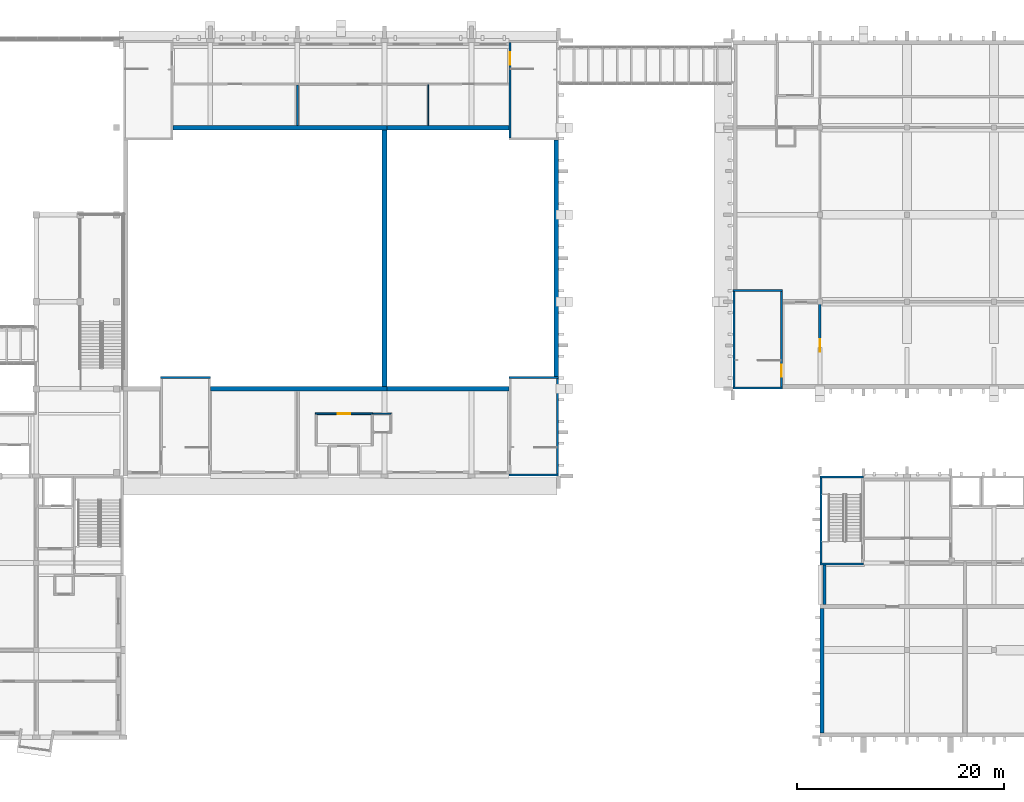
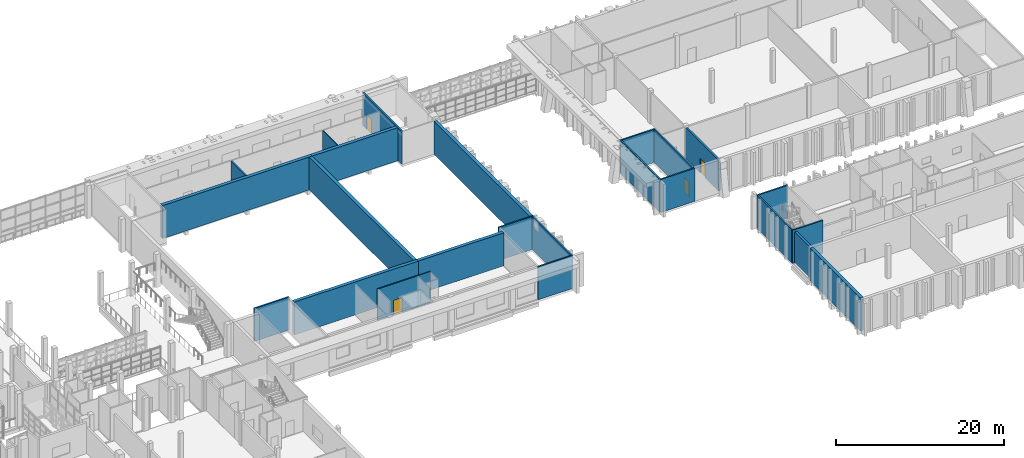
# One storey, part 48 of 86: 25 walls, 4 doors, 4 openings.
"""IFC4 building model written with IfcOpenShell, lengths in metres."""

from ifc_helpers import new_model, si_unit, direction, frame, frame_2d, origin, place, context, subcontext, project, spatial, rectangle, extrude, material, layer, layer_set, type_object, element, fill, save


model = new_model("IFC4")

# Units and contexts
model_context = context("Model", 3, precision=1e-05, world=origin(), true_north=direction((0.0, 1.0)))
body_context = subcontext(model_context, "Body", "Model", "MODEL_VIEW")
ifc_project = project(units=[si_unit("LENGTHUNIT", "METRE"), si_unit("AREAUNIT", "SQUARE_METRE"), si_unit("VOLUMEUNIT", "CUBIC_METRE"), si_unit("PLANEANGLEUNIT", "RADIAN"), si_unit("MASSUNIT", "GRAM", prefix="KILO")], contexts=[model_context])

# Site, building, storey
site_placement = place(None, origin())
site = spatial("IfcSite", under=ifc_project, at=site_placement, CompositionType="ELEMENT")
building_placement = place(site_placement, origin())
building = spatial("IfcBuilding", under=site, at=building_placement, Name="Kiln Court Media Centre", CompositionType="ELEMENT")
storey_placement = place(building_placement, frame((0.0, 0.0, 10.199951171875)))
storey = spatial("IfcBuildingStorey", under=building, at=storey_placement, Name="L02", CompositionType="ELEMENT", Elevation=10.199951171875)

# Wall, opening, door
ifc_material_1 = material(Name="Concrete block masonry M7.5", Category="masonry")
ifc_layer_1 = layer(ifc_material_1, 0.14990234375)
ifc_layer_set_1 = layer_set([ifc_layer_1], Name="Block lobby wall 150 EI 120")
wall_type_1 = type_object("IfcWallType", Name="Block lobby wall 150 EI 120", PredefinedType="SOLIDWALL", material=ifc_layer_set_1)
wall_1_placement = place(storey_placement, frame((77.324951171875, 31.199951171875, 0.0), z_axis=(0.0, 0.0, 1.0), x_axis=(1.0, 0.0, 0.0)))
wall_1 = element("IfcWall", 1, at=wall_1_placement, inside=storey, type_object=wall_type_1, Name="L02 block lobby wall", PredefinedType="SOLIDWALL", context=body_context, shape_type="SweptSolid", body=[
    extrude(rectangle(XDim=5.550048828125, YDim=0.14990234375, at=frame_2d((2.77490234375, 0.0))), origin(), (0.0, 0.0, 1.0), 4.5),
])
opening_1_placement = place(wall_1_placement, frame((2.175048828125, 0.0, 0.0)))
opening_1 = element("IfcOpeningElement", 2, at=opening_1_placement, cuts=wall_1, Name="Opening D2023", PredefinedType="OPENING", context=body_context, shape_type="SweptSolid", body=[
    extrude(rectangle(XDim=1.199951171875, YDim=2.10009765625, at=frame_2d((0.60009765625, 1.050048828125))), frame((0.0, 0.0849609375, 0.0), z_axis=(0.0, -1.0, 0.0), x_axis=(1.0, 0.0, 0.0)), (0.0, 0.0, 1.0), 0.169921875),
])
ifc_material_2 = material(Name="Steel S275", Category="steel")
door_type_1 = type_object("IfcDoorType", Name="Steel lobby door 1200 x 2100 FD120", OperationType="SINGLE_SWING_LEFT", PredefinedType="DOOR", material=ifc_material_2)
door_1_placement = place(opening_1_placement, origin())
door_1 = element("IfcDoor", 3, at=door_1_placement, inside=storey, type_object=door_type_1, Name="Upper Lounge and Bar / Fire-fighting Lift Lobby", OperationType="SINGLE_SWING_LEFT", OverallHeight=2.10009765625, OverallWidth=1.199951171875, PredefinedType="DOOR", context=body_context, shape_type="SweptSolid", body=[
    extrude(rectangle(XDim=1.199951171875, YDim=2.10009765625, at=frame_2d((0.60009765625, 1.050048828125))), frame((0.0, 0.02490234375, 0.0), z_axis=(0.0, -1.0, 0.0), x_axis=(1.0, 0.0, 0.0)), (0.0, 0.0, 1.0), 0.050048828125),
])
fill(opening_1, door_1)

# Walls
ifc_material_3 = material(Name="Concrete block masonry M10", Category="masonry")
ifc_layer_2 = layer(ifc_material_3, 0.199951171875)
ifc_layer_set_2 = layer_set([ifc_layer_2], Name="Block plant room wall 200 EI 120")
wall_type_2 = type_object("IfcWallType", Name="Block plant room wall 200 EI 120", PredefinedType="SOLIDWALL", material=ifc_layer_set_2)
wall_2_placement = place(storey_placement, frame((75.60009765625, 59.02490234375, 0.0), z_axis=(0.0, 0.0, 1.0), x_axis=(0.0, 1.0, 0.0)))
element("IfcWall", 4, at=wall_2_placement, inside=storey, type_object=wall_type_2, Name="L02 block plant room wall", PredefinedType="SOLIDWALL", context=body_context, shape_type="SweptSolid", body=[
    extrude(rectangle(XDim=3.875, YDim=0.199951171875, at=frame_2d((1.9375, 0.0))), origin(), (0.0, 0.0, 1.0), 4.5),
])
ifc_material_4 = material(Name="Concrete C40/50", Category="concrete")
ifc_layer_3 = layer(ifc_material_4, 0.449951171875)
ifc_layer_set_3 = layer_set([ifc_layer_3], Name="Concrete C40/50 auditorium wall 450")
wall_type_3 = type_object("IfcWallType", Name="Concrete C40/50 auditorium wall 450", PredefinedType="SHEAR", material=ifc_layer_set_3)
wall_3_placement = place(storey_placement, frame((84.22509765625, 33.60009765625, 0.0), z_axis=(0.0, 0.0, 1.0), x_axis=(-1.0, 0.0, 0.0)))
element("IfcWall", 5, at=wall_3_placement, inside=storey, type_object=wall_type_3, Name="L02-W-1111", PredefinedType="SHEAR", context=body_context, shape_type="SweptSolid", body=[
    extrude(rectangle(XDim=17.025146484375, YDim=0.449951171875, at=frame_2d((8.5126953125, 0.0))), origin(), (0.0, 0.0, 1.0), 4.800048828125),
])
wall_4_placement = place(storey_placement, frame((63.60009765625, 58.800048828125, 0.0), z_axis=(0.0, 0.0, 1.0), x_axis=(1.0, 0.0, 0.0)))
element("IfcWall", 6, at=wall_4_placement, inside=storey, type_object=wall_type_3, Name="L02-W-1112", PredefinedType="SHEAR", context=body_context, shape_type="SweptSolid", body=[
    extrude(rectangle(XDim=20.625, YDim=0.449951171875, at=frame_2d((10.3125, 0.0))), origin(), (0.0, 0.0, 1.0), 4.800048828125),
])
wall_5_placement = place(storey_placement, frame((84.0, 58.574951171875, 0.0), z_axis=(0.0, 0.0, 1.0), x_axis=(0.0, -1.0, 0.0)))
element("IfcWall", 7, at=wall_5_placement, inside=storey, type_object=wall_type_3, Name="L02-W-1114", PredefinedType="SHEAR", context=body_context, shape_type="SweptSolid", body=[
    extrude(rectangle(XDim=24.75, YDim=0.449951171875, at=frame_2d((12.375, 0.0))), origin(), (0.0, 0.0, 1.0), 4.800048828125),
])
for number, where, z_axis, x_axis, name in (
    (8, (96.0, 33.60009765625, 0.0), (0.0, 0.0, 1.0), (-1.0, 0.0, 0.0), "L02-W-1115"),
    (9, (84.22509765625, 58.800048828125, 0.0), (0.0, 0.0, 1.0), (1.0, 0.0, 0.0), "L02-W-1116"),
):
    element("IfcWall", number, at=place(storey_placement, frame(where, z_axis=z_axis, x_axis=x_axis)), inside=storey, type_object=wall_type_3, Name=name, PredefinedType="SHEAR", context=body_context, shape_type="SweptSolid", body=[
        extrude(rectangle(XDim=11.77490234375, YDim=0.449951171875, at=frame_2d((5.887451171875, 0.0))), origin(), (0.0, 0.0, 1.0), 4.800048828125),
    ])
wall_6_placement = place(storey_placement, frame((100.574951171875, 57.60009765625, 0.0), z_axis=(0.0, 0.0, 1.0), x_axis=(0.0, -1.0, 0.0)))
element("IfcWall", 10, at=wall_6_placement, inside=storey, type_object=wall_type_3, Name="L02-W-1117", PredefinedType="SHEAR", context=body_context, shape_type="SweptSolid", body=[
    extrude(rectangle(XDim=22.800048828125, YDim=0.449951171875, at=frame_2d((11.39990234375, 0.0))), origin(), (0.0, 0.0, 1.0), 4.800048828125),
])
ifc_material_5 = material(Name="Concrete C40/50", Category="concrete")
ifc_layer_4 = layer(ifc_material_5, 0.300048828125)
ifc_layer_set_4 = layer_set([ifc_layer_4], Name="Concrete C40/50 board-marked facade wall 300")
wall_type_4 = type_object("IfcWallType", Name="Concrete C40/50 board-marked facade wall 300", PredefinedType="SOLIDWALL", material=ifc_layer_set_4)
wall_7_placement = place(storey_placement, frame((126.449951171875, 12.800048828125, 0.0), z_axis=(0.0, 0.0, 1.0), x_axis=(0.0, 1.0, 0.0)))
element("IfcWall", 11, at=wall_7_placement, inside=storey, type_object=wall_type_4, Name="V5 W facade wall 4013", PredefinedType="SOLIDWALL", context=body_context, shape_type="SweptSolid", body=[
    extrude(rectangle(XDim=3.800048828125, YDim=0.300048828125, at=frame_2d((1.89990234375, 0.0))), origin(), (0.0, 0.0, 1.0), 4.5),
])
ifc_material_6 = material(Name="Concrete C40/50", Category="concrete")
ifc_layer_5 = layer(ifc_material_6, 0.199951171875)
ifc_layer_set_5 = layer_set([ifc_layer_5], Name="Concrete C40/50 shear wall 200")
wall_type_5 = type_object("IfcWallType", Name="Concrete C40/50 shear wall 200", PredefinedType="SHEAR", material=ifc_layer_set_5)
for number, where, z_axis, x_axis, name in (
    (12, (62.39990234375, 34.699951171875, 0.0), (0.0, 0.0, 1.0), (1.0, 0.0, 0.0), "L02-W-1033"),
    (13, (100.800048828125, 25.300048828125, 0.0), (0.0, 0.0, 1.0), (-1.0, 0.0, 0.0), "L02-W-1036"),
    (14, (96.0, 34.699951171875, 0.0), (0.0, 0.0, 1.0), (1.0, 0.0, 0.0), "L02-W-1037"),
):
    element("IfcWall", number, at=place(storey_placement, frame(where, z_axis=z_axis, x_axis=x_axis)), inside=storey, type_object=wall_type_5, Name=name, PredefinedType="SHEAR", context=body_context, shape_type="SweptSolid", body=[
        extrude(rectangle(XDim=4.800048828125, YDim=0.199951171875, at=frame_2d((2.39990234375, 0.0))), origin(), (0.0, 0.0, 1.0), 4.800048828125),
    ])
wall_8_placement = place(storey_placement, frame((100.699951171875, 34.60009765625, 0.0), z_axis=(0.0, 0.0, 1.0), x_axis=(0.0, -1.0, 0.0)))
element("IfcWall", 15, at=wall_8_placement, inside=storey, type_object=wall_type_5, Name="L02-W-1039", PredefinedType="SHEAR", context=body_context, shape_type="SweptSolid", body=[
    extrude(rectangle(XDim=9.2001953125, YDim=0.199951171875, at=frame_2d((4.60009765625, 0.0))), origin(), (0.0, 0.0, 1.0), 4.800048828125),
])

# Wall, opening, door
wall_9_placement = place(storey_placement, frame((96.10009765625, 57.800048828125, 0.0), z_axis=(0.0, 0.0, 1.0), x_axis=(0.0, 1.0, 0.0)))
wall_9 = element("IfcWall", 16, at=wall_9_placement, inside=storey, type_object=wall_type_5, Name="L02-W-1046", PredefinedType="SHEAR", context=body_context, shape_type="SweptSolid", body=[
    extrude(rectangle(XDim=9.199951171875, YDim=0.199951171875, at=frame_2d((4.60009765625, 0.0))), origin(), (0.0, 0.0, 1.0), 4.800048828125),
])
opening_2_placement = place(wall_9_placement, frame((7.050048828125, 0.0, 0.0)))
opening_2 = element("IfcOpeningElement", 17, at=opening_2_placement, cuts=wall_9, Name="Opening D2076", PredefinedType="OPENING", context=body_context, shape_type="SweptSolid", body=[
    extrude(rectangle(XDim=1.199951171875, YDim=2.10009765625, at=frame_2d((0.60009765625, 1.050048828125))), frame((0.0, 0.10986328125, 0.0), z_axis=(0.0, -1.0, 0.0), x_axis=(1.0, 0.0, 0.0)), (0.0, 0.0, 1.0), 0.219970703125),
])
ifc_material_7 = material(Name="Steel S275", Category="steel")
door_type_2 = type_object("IfcDoorType", Name="Steel stair door 1200 x 2100 FD180", OperationType="SINGLE_SWING_LEFT", PredefinedType="DOOR", material=ifc_material_7)
door_2_placement = place(opening_2_placement, origin())
door_2 = element("IfcDoor", 18, at=door_2_placement, inside=storey, type_object=door_type_2, Name="Stair 12 / Rear Gallery", OperationType="SINGLE_SWING_RIGHT", OverallHeight=2.10009765625, OverallWidth=1.199951171875, PredefinedType="DOOR", context=body_context, shape_type="SweptSolid", body=[
    extrude(rectangle(XDim=1.199951171875, YDim=2.10009765625, at=frame_2d((0.60009765625, 1.050048828125))), frame((0.0, 0.02490234375, 0.0), z_axis=(0.0, -1.0, 0.0), x_axis=(1.0, 0.0, 0.0)), (0.0, 0.0, 1.0), 0.050048828125),
])
fill(opening_2, door_2)

# Walls
for number, where, z_axis, x_axis, name in (
    (19, (122.39990234375, 33.699951171875, 0.0), (0.0, 0.0, 1.0), (-1.0, 0.0, 0.0), "L02-W-1048"),
    (20, (117.60009765625, 43.10009765625, 0.0), (0.0, 0.0, 1.0), (1.0, 0.0, 0.0), "L02-W-1049"),
):
    element("IfcWall", number, at=place(storey_placement, frame(where, z_axis=z_axis, x_axis=x_axis)), inside=storey, type_object=wall_type_5, Name=name, PredefinedType="SHEAR", context=body_context, shape_type="SweptSolid", body=[
        extrude(rectangle(XDim=4.7998046875, YDim=0.199951171875, at=frame_2d((2.39990234375, 0.0))), origin(), (0.0, 0.0, 1.0), 4.800048828125),
    ])
wall_10_placement = place(storey_placement, frame((117.699951171875, 33.800048828125, 0.0), z_axis=(0.0, 0.0, 1.0), x_axis=(0.0, 1.0, 0.0)))
element("IfcWall", 21, at=wall_10_placement, inside=storey, type_object=wall_type_5, Name="L02-W-1050", PredefinedType="SHEAR", context=body_context, shape_type="SweptSolid", body=[
    extrude(rectangle(XDim=9.199951171875, YDim=0.199951171875, at=frame_2d((4.60009765625, 0.0))), origin(), (0.0, 0.0, 1.0), 4.800048828125),
])

# Wall, opening, door
wall_11_placement = place(storey_placement, frame((122.300048828125, 43.0, 0.0), z_axis=(0.0, 0.0, 1.0), x_axis=(0.0, -1.0, 0.0)))
wall_11 = element("IfcWall", 22, at=wall_11_placement, inside=storey, type_object=wall_type_5, Name="L02-W-1051", PredefinedType="SHEAR", context=body_context, shape_type="SweptSolid", body=[
    extrude(rectangle(XDim=9.199951171875, YDim=0.199951171875, at=frame_2d((4.60009765625, 0.0))), origin(), (0.0, 0.0, 1.0), 4.800048828125),
])
opening_3_placement = place(wall_11_placement, frame((7.050048828125, 0.0, 0.0)))
opening_3 = element("IfcOpeningElement", 23, at=opening_3_placement, cuts=wall_11, Name="Opening D2005", PredefinedType="OPENING", context=body_context, shape_type="SweptSolid", body=[
    extrude(rectangle(XDim=1.199951171875, YDim=2.10009765625, at=frame_2d((0.60009765625, 1.050048828125))), frame((0.0, 0.10986328125, 0.0), z_axis=(0.0, -1.0, 0.0), x_axis=(1.0, 0.0, 0.0)), (0.0, 0.0, 1.0), 0.219970703125),
])
door_3_placement = place(opening_3_placement, origin())
door_3 = element("IfcDoor", 24, at=door_3_placement, inside=storey, type_object=door_type_2, Name="Stair 13 / Studio Lobby", OperationType="SINGLE_SWING_LEFT", OverallHeight=2.10009765625, OverallWidth=1.199951171875, PredefinedType="DOOR", context=body_context, shape_type="SweptSolid", body=[
    extrude(rectangle(XDim=1.199951171875, YDim=2.10009765625, at=frame_2d((0.60009765625, 1.050048828125))), frame((0.0, 0.02490234375, 0.0), z_axis=(0.0, -1.0, 0.0), x_axis=(1.0, 0.0, 0.0)), (0.0, 0.0, 1.0), 0.050048828125),
])
fill(opening_3, door_3)

# Walls
for number, where, z_axis, x_axis, name in (
    (25, (130.199951171875, 16.699951171875, 0.0), (0.0, 0.0, 1.0), (-1.0, 0.0, 0.0), "L02-W-1060"),
    (26, (126.0, 25.10009765625, 0.0), (0.0, 0.0, 1.0), (1.0, 0.0, 0.0), "L02-W-1061"),
):
    element("IfcWall", number, at=place(storey_placement, frame(where, z_axis=z_axis, x_axis=x_axis)), inside=storey, type_object=wall_type_5, Name=name, PredefinedType="SHEAR", context=body_context, shape_type="SweptSolid", body=[
        extrude(rectangle(XDim=4.199951171875, YDim=0.199951171875, at=frame_2d((2.10009765625, 0.0))), origin(), (0.0, 0.0, 1.0), 4.800048828125),
    ])
wall_12_placement = place(storey_placement, frame((126.10009765625, 16.800048828125, 0.0), z_axis=(0.0, 0.0, 1.0), x_axis=(0.0, 1.0, 0.0)))
element("IfcWall", 27, at=wall_12_placement, inside=storey, type_object=wall_type_5, Name="L02-W-1062", PredefinedType="SHEAR", context=body_context, shape_type="SweptSolid", body=[
    extrude(rectangle(XDim=8.199951171875, YDim=0.199951171875, at=frame_2d((4.10009765625, 0.0))), origin(), (0.0, 0.0, 1.0), 4.800048828125),
])
ifc_material_8 = material(Name="Concrete C40/50", Category="concrete")
ifc_layer_6 = layer(ifc_material_8, 0.39990234375)
ifc_layer_set_6 = layer_set([ifc_layer_6], Name="Concrete C40/50 studio wall 400")
wall_type_6 = type_object("IfcWallType", Name="Concrete C40/50 studio wall 400", PredefinedType="SHEAR", material=ifc_layer_set_6)
wall_13_placement = place(storey_placement, frame((126.199951171875, 0.39990234375, 0.0), z_axis=(0.0, 0.0, 1.0), x_axis=(0.0, 1.0, 0.0)))
element("IfcWall", 28, at=wall_13_placement, inside=storey, type_object=wall_type_6, Name="L02-W-1127", PredefinedType="SHEAR", context=body_context, shape_type="SweptSolid", body=[
    extrude(rectangle(XDim=12.0, YDim=0.39990234375, at=frame_2d((6.0, 0.0))), origin(), (0.0, 0.0, 1.0), 4.800048828125),
])

# Wall, opening, door
ifc_material_9 = material(Name="Gypsum plasterboard", Category="gypsum")
ifc_layer_7 = layer(ifc_material_9, 0.25)
ifc_layer_set_7 = layer_set([ifc_layer_7], Name="Double-leaf acoustic wall 250 EI 120")
wall_type_7 = type_object("IfcWallType", Name="Double-leaf acoustic wall 250 EI 120", PredefinedType="PARTITIONING", material=ifc_layer_set_7)
wall_14_placement = place(storey_placement, frame((126.0, 34.0, 0.0), z_axis=(0.0, 0.0, 1.0), x_axis=(0.0, 1.0, 0.0)))
wall_14 = element("IfcWall", 29, at=wall_14_placement, inside=storey, type_object=wall_type_7, Name="L02 double-leaf acoustic wall", PredefinedType="PARTITIONING", context=body_context, shape_type="SweptSolid", body=[
    extrude(rectangle(XDim=7.875, YDim=0.25, at=frame_2d((3.9375, 0.0))), origin(), (0.0, 0.0, 1.0), 4.5),
])
opening_4_placement = place(wall_14_placement, frame((3.199951171875, 0.0, 0.0)))
opening_4 = element("IfcOpeningElement", 30, at=opening_4_placement, cuts=wall_14, Name="Opening D2028", PredefinedType="OPENING", context=body_context, shape_type="SweptSolid", body=[
    extrude(rectangle(XDim=1.199951171875, YDim=2.10009765625, at=frame_2d((0.60009765625, 1.050048828125))), frame((0.0, 0.135009765625, 0.0), z_axis=(0.0, -1.0, 0.0), x_axis=(1.0, 0.0, 0.0)), (0.0, 0.0, 1.0), 0.27001953125),
])
ifc_material_10 = material(Name="Steel S275", Category="steel")
door_type_3 = type_object("IfcDoorType", Name="Acoustic studio door 1200 x 2100 FD180", OperationType="SINGLE_SWING_LEFT", PredefinedType="DOOR", material=ifc_material_10)
door_4_placement = place(opening_4_placement, origin())
door_4 = element("IfcDoor", 31, at=door_4_placement, inside=storey, type_object=door_type_3, Name="Studio Lobby / Master Control", OperationType="SINGLE_SWING_LEFT", OverallHeight=2.10009765625, OverallWidth=1.199951171875, PredefinedType="DOOR", context=body_context, shape_type="SweptSolid", body=[
    extrude(rectangle(XDim=1.199951171875, YDim=2.10009765625, at=frame_2d((0.60009765625, 1.050048828125))), frame((0.0, 0.02490234375, 0.0), z_axis=(0.0, -1.0, 0.0), x_axis=(1.0, 0.0, 0.0)), (0.0, 0.0, 1.0), 0.050048828125),
])
fill(opening_4, door_4)

# Walls
ifc_material_11 = material(Name="Gypsum plasterboard", Category="gypsum")
ifc_layer_8 = layer(ifc_material_11, 0.10009765625)
ifc_layer_set_8 = layer_set([ifc_layer_8], Name="Gypsum stud partition 100")
wall_type_8 = type_object("IfcWallType", Name="Gypsum stud partition 100", PredefinedType="PARTITIONING", material=ifc_layer_set_8)
wall_15_placement = place(storey_placement, frame((82.875, 31.199951171875, 0.0), z_axis=(0.0, 0.0, 1.0), x_axis=(1.0, 0.0, 0.0)))
element("IfcWall", 32, at=wall_15_placement, inside=storey, type_object=wall_type_8, Name="L02 gypsum stud partition", PredefinedType="PARTITIONING", context=body_context, shape_type="SweptSolid", body=[
    extrude(rectangle(XDim=1.77490234375, YDim=0.10009765625, at=frame_2d((0.887451171875, 0.0))), origin(), (0.0, 0.0, 1.0), 4.5),
])
wall_16_placement = place(storey_placement, frame((88.199951171875, 59.02490234375, 0.0), z_axis=(0.0, 0.0, 1.0), x_axis=(0.0, 1.0, 0.0)))
element("IfcWall", 33, at=wall_16_placement, inside=storey, type_object=wall_type_8, Name="L02 gypsum stud partition", PredefinedType="PARTITIONING", context=body_context, shape_type="SweptSolid", body=[
    extrude(rectangle(XDim=3.900146484375, YDim=0.10009765625, at=frame_2d((1.9501953125, 0.0))), origin(), (0.0, 0.0, 1.0), 4.5),
])

save(model, "model.ifc")
